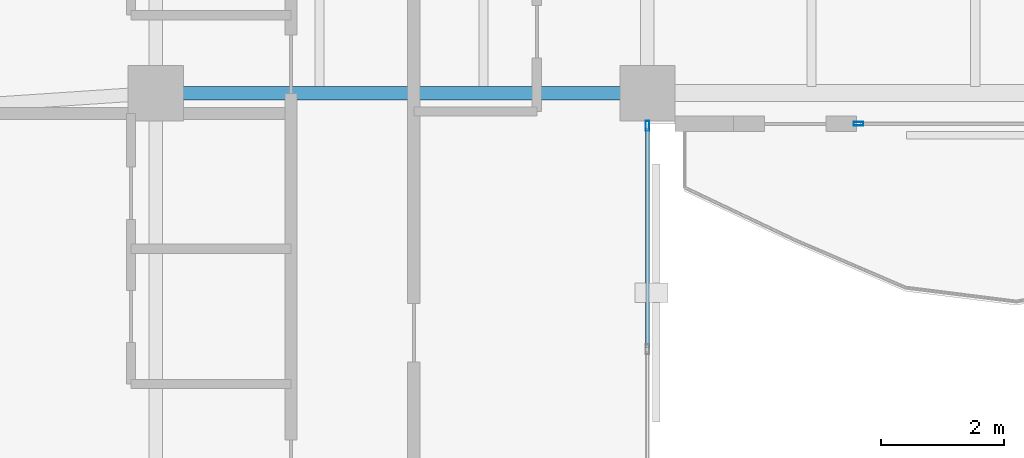
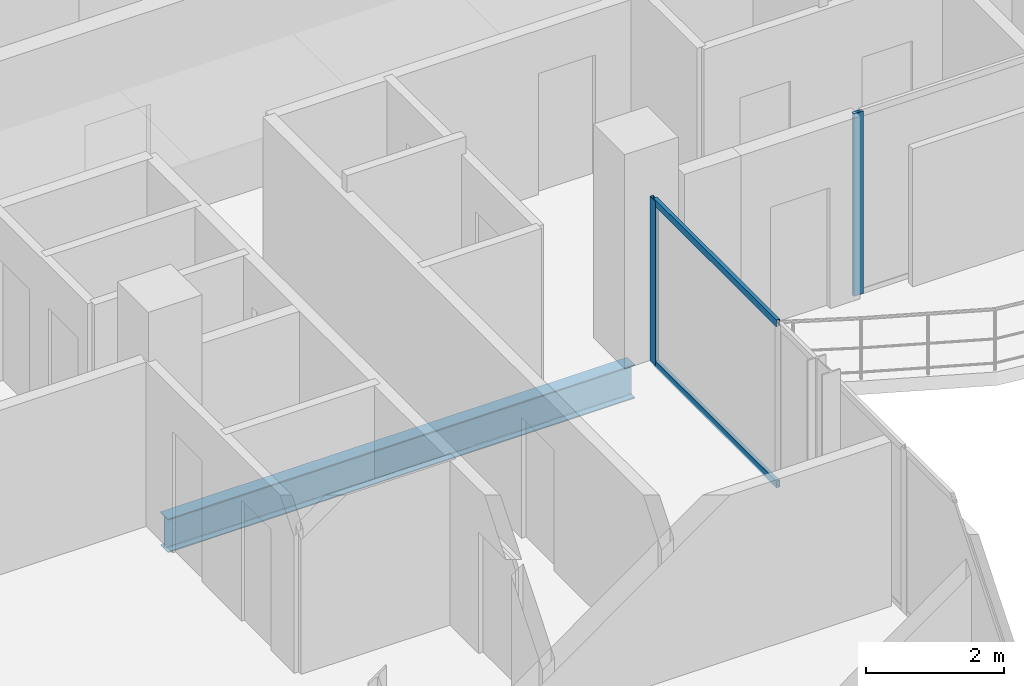
# One storey, part 8 of 22: 4 members, 1 beam, 2 elements without a shape of their own.
"""IFC4 building model written with IfcOpenShell, lengths in metres."""

from ifc_helpers import new_model, si_unit, direction, frame, origin, origin_2d, place, context, subcontext, project, spatial, hollow_rectangle, i_section, extrude, material, layer, layer_set, material_profile, profile_set, type_object, element, aggregate, save


model = new_model("IFC4")

# Units and contexts
model_context = context("Model", 3, precision=1e-05, world=origin(), true_north=direction((0.0, 1.0)))
body_context = subcontext(model_context, "Body", "Model", "MODEL_VIEW")
ifc_project = project(units=[si_unit("LENGTHUNIT", "METRE"), si_unit("AREAUNIT", "SQUARE_METRE"), si_unit("VOLUMEUNIT", "CUBIC_METRE"), si_unit("PLANEANGLEUNIT", "RADIAN"), si_unit("MASSUNIT", "GRAM", prefix="KILO")], contexts=[model_context])

# Site, building, storey
site_placement = place(None, origin())
site = spatial("IfcSite", under=ifc_project, at=site_placement, CompositionType="ELEMENT")
building_placement = place(site_placement, origin())
building = spatial("IfcBuilding", under=site, at=building_placement, Name="Catumbela Crestline Tower", CompositionType="ELEMENT")
storey_placement = place(building_placement, frame((0.0, 0.0, 233.6)))
storey = spatial("IfcBuildingStorey", under=building, at=storey_placement, Name="L60", CompositionType="ELEMENT", Elevation=233.6)

# Beam
ifc_material_1 = material(Name="Structural steel S355J2", Category="steel")
ifc_material_profile_1 = material_profile(ifc_material_1, i_section(OverallWidth=0.22, OverallDepth=0.6, WebThickness=0.012, FlangeThickness=0.019, FilletRadius=0.024, at=origin_2d()), Name="IPE 600")
ifc_profile_set_1 = profile_set([ifc_material_profile_1], Name="Structural steel S355J2")
beam_type = type_object("IfcBeamType", Name="BG-IPE600", PredefinedType="BEAM", material=ifc_profile_set_1)
beam_placement = place(storey_placement, frame((16.08, 24.5, -0.56), z_axis=(1.0, 0.0, 0.0), x_axis=(0.0, 1.0, 0.0)))
element("IfcBeam", 1, at=beam_placement, inside=storey, type_object=beam_type, Name="L60 Beam BM-L60-S03", PredefinedType="BEAM", context=body_context, shape_type="SweptSolid", body=[
    extrude(i_section(OverallWidth=0.22, OverallDepth=0.6, WebThickness=0.012, FlangeThickness=0.019, FilletRadius=0.024, at=origin_2d()), origin(), (0.0, 0.0, 1.0), 7.84),
])

# Curtain wall, member
ifc_material_2 = material(Name="Aluminium alloy AW-6060-T66", Category="aluminium")
ifc_layer = layer(ifc_material_2, 0.18, Name="Aluminium alloy AW-6060-T66")
ifc_layer_set = layer_set([ifc_layer], Name="Aluminium alloy AW-6060-T66")
curtain_wall_type = type_object("IfcCurtainWallType", Name="CWU-Z4", PredefinedType="USERDEFINED", material=ifc_layer_set)
curtain_wall_1_placement = place(storey_placement, origin())
curtain_wall_1 = element("IfcCurtainWall", 2, at=curtain_wall_1_placement, inside=storey, type_object=curtain_wall_type, Name="L60 Unitised Curtain Wall CW-L60-E2S1", ObjectType="UNITISED", PredefinedType="USERDEFINED")
ifc_material_profile_2 = material_profile(ifc_material_2, hollow_rectangle(XDim=0.06, YDim=0.16, WallThickness=0.004, at=origin_2d()), Name="ALU 160x60x4")
ifc_profile_set_2 = profile_set([ifc_material_profile_2], Name="Aluminium alloy AW-6060-T66")
member_type_1 = type_object("IfcMemberType", Name="MUL-160X60", PredefinedType="MULLION", material=ifc_profile_set_2)
member_1_placement = place(storey_placement, frame((24.0, 23.9675, 0.0), z_axis=(0.0, 0.0, 1.0), x_axis=(-1.0, 0.0, 0.0)))
member_1 = element("IfcMember", 3, at=member_1_placement, type_object=member_type_1, Name="CWU-Z4 mullion 4", PredefinedType="MULLION", context=body_context, shape_type="SweptSolid", body=[
    extrude(hollow_rectangle(XDim=0.06, YDim=0.16, WallThickness=0.004, at=origin_2d()), origin(), (0.0, 0.0, 1.0), 2.92),
])

curtain_wall_2_placement = place(storey_placement, origin())
curtain_wall_2 = element("IfcCurtainWall", 4, at=curtain_wall_2_placement, inside=storey, type_object=curtain_wall_type, Name="L60 Unitised Curtain Wall CW-L60-E3S2", ObjectType="UNITISED", PredefinedType="USERDEFINED")
member_2_placement = place(storey_placement, frame((27.4325, 24.0, 0.0), z_axis=(0.0, 0.0, 1.0), x_axis=(0.0, 1.0, 0.0)))
member_2 = element("IfcMember", 5, at=member_2_placement, type_object=member_type_1, Name="CWU-Z4 mullion 1", PredefinedType="MULLION", context=body_context, shape_type="SweptSolid", body=[
    extrude(hollow_rectangle(XDim=0.06, YDim=0.16, WallThickness=0.004, at=origin_2d()), origin(), (0.0, 0.0, 1.0), 3.24),
])
aggregate(curtain_wall_2, [member_2])

# Member
ifc_material_profile_3 = material_profile(ifc_material_2, hollow_rectangle(XDim=0.06, YDim=0.12, WallThickness=0.0035, at=origin_2d()), Name="ALU 120x60x3.5")
ifc_profile_set_3 = profile_set([ifc_material_profile_3], Name="Aluminium alloy AW-6060-T66")
member_type_2 = type_object("IfcMemberType", Name="TRN-120X60", PredefinedType="USERDEFINED", material=ifc_profile_set_3)
member_3_placement = place(storey_placement, frame((24.0, 20.3658, 0.03), z_axis=(0.0, 1.0, 0.0), x_axis=(-1.0, 0.0, 0.0)))
member_3 = element("IfcMember", 6, at=member_3_placement, type_object=member_type_2, Name="CWU-Z4 transom 3.1", ObjectType="TRANSOM", PredefinedType="USERDEFINED", context=body_context, shape_type="SweptSolid", body=[
    extrude(hollow_rectangle(XDim=0.06, YDim=0.12, WallThickness=0.0035, at=origin_2d()), origin(), (0.0, 0.0, 1.0), 3.5692),
])

member_4_placement = place(storey_placement, frame((24.0, 20.3658, 2.89), z_axis=(0.0, 1.0, 0.0), x_axis=(-1.0, 0.0, 0.0)))
member_4 = element("IfcMember", 7, at=member_4_placement, type_object=member_type_2, Name="CWU-Z4 transom 3.2", ObjectType="TRANSOM", PredefinedType="USERDEFINED", context=body_context, shape_type="SweptSolid", body=[
    extrude(hollow_rectangle(XDim=0.06, YDim=0.12, WallThickness=0.0035, at=origin_2d()), origin(), (0.0, 0.0, 1.0), 3.5692),
])

aggregate(curtain_wall_1, [member_1, member_3, member_4])

save(model, "model.ifc")
